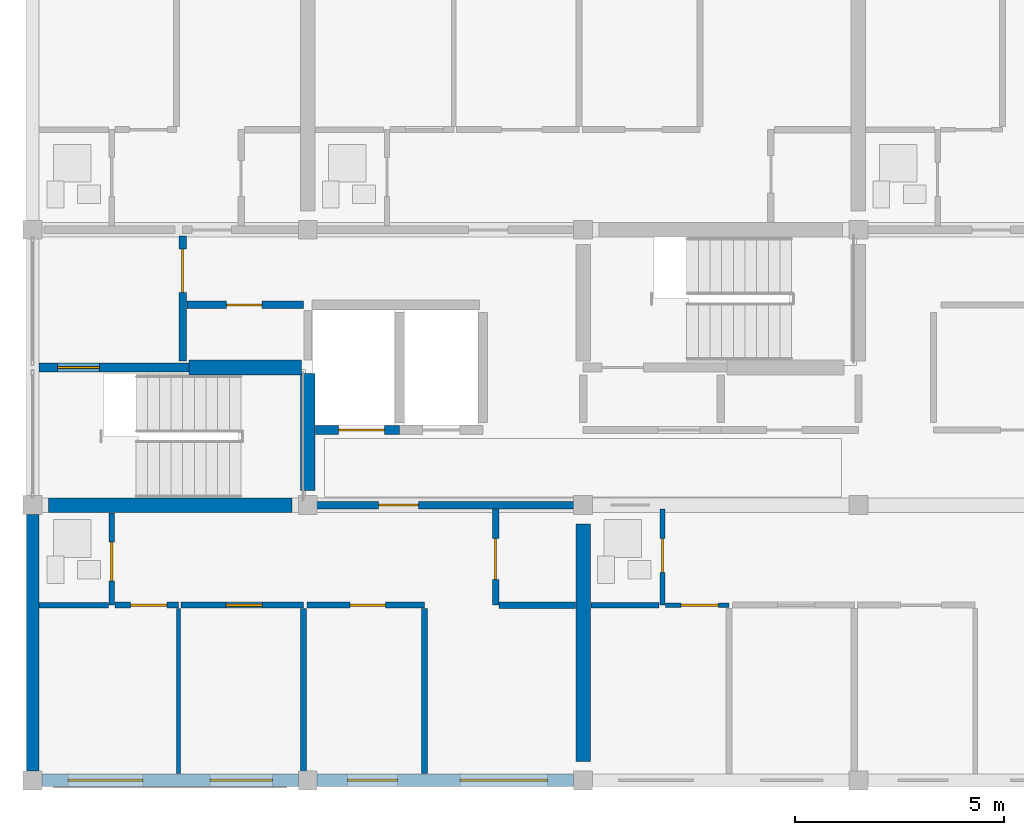
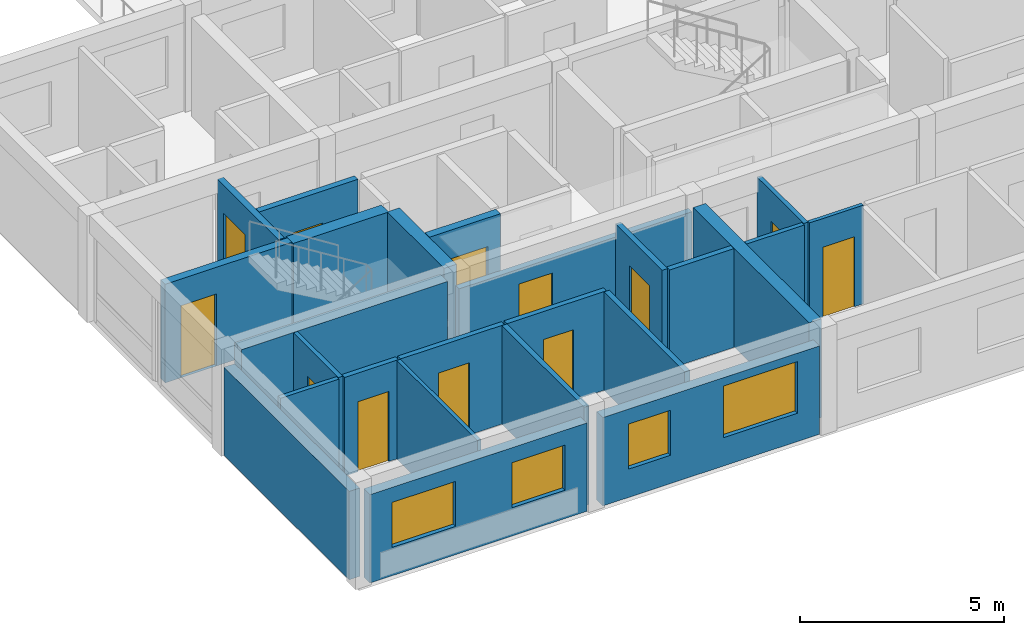
# One storey, part 26 of 51: 25 walls, 12 doors, 4 windows, 16 openings.
"""IFC4 building model written with IfcOpenShell, lengths in metres."""

from ifc_helpers import new_model, si_unit, direction, frame, frame_2d, origin, place, context, subcontext, project, spatial, rectangle, extrude, material, layer, layer_set, type_object, element, fill, save


model = new_model("IFC4")

# Units and contexts
model_context = context("Model", 3, precision=1e-05, world=origin(), true_north=direction((0.0, 1.0)))
body_context = subcontext(model_context, "Body", "Model", "MODEL_VIEW")
ifc_project = project(units=[si_unit("LENGTHUNIT", "METRE"), si_unit("AREAUNIT", "SQUARE_METRE"), si_unit("VOLUMEUNIT", "CUBIC_METRE"), si_unit("PLANEANGLEUNIT", "RADIAN"), si_unit("MASSUNIT", "GRAM", prefix="KILO")], contexts=[model_context])

# Site, building, storey
site_placement = place(None, origin())
site = spatial("IfcSite", under=ifc_project, at=site_placement, CompositionType="ELEMENT")
building_placement = place(site_placement, origin())
building = spatial("IfcBuilding", under=site, at=building_placement, Name="Kernevlak Ridge Housing Community", CompositionType="ELEMENT")
storey_placement = place(building_placement, frame((0.0, 0.0, 8.39990234375)))
storey = spatial("IfcBuildingStorey", under=building, at=storey_placement, Name="L02", CompositionType="ELEMENT", Elevation=8.39990234375)

# Wall, openings, windows
ifc_material_1 = material(Name="Concrete block masonry M10", Category="masonry")
ifc_layer_1 = layer(ifc_material_1, 0.300048828125, Name="Concrete block masonry M10")
ifc_layer_set_1 = layer_set([ifc_layer_1], Name="Concrete block masonry M10")
wall_type_1 = type_object("IfcWallType", Name="EW-01", PredefinedType="STANDARD", material=ifc_layer_set_1)
wall_1_placement = place(storey_placement, frame((15.824951171875, 15.60009765625, 0.0), z_axis=(0.0, 0.0, 1.0), x_axis=(1.0, 0.0, 0.0)))
wall_1 = element("IfcWall", 1, at=wall_1_placement, inside=storey, type_object=wall_type_1, Name="Exterior wall EW-01 L02 739", PredefinedType="STANDARD", context=body_context, shape_type="SweptSolid", body=[
    extrude(rectangle(XDim=6.150146484375, YDim=0.300048828125, at=frame_2d((3.0751953125, 0.0))), origin(), (0.0, 0.0, 1.0), 2.650146484375),
])
opening_1_placement = place(wall_1_placement, frame((0.625, 0.0, 0.85009765625)))
opening_1 = element("IfcOpeningElement", 2, at=opening_1_placement, cuts=wall_1, Name="Opening WT-03", PredefinedType="OPENING", context=body_context, shape_type="SweptSolid", body=[
    extrude(rectangle(XDim=1.800048828125, YDim=1.35009765625, at=frame_2d((0.89990234375, 0.675048828125))), frame((0.0, 0.159912109375, 0.0), z_axis=(0.0, -1.0, 0.0), x_axis=(1.0, 0.0, 0.0)), (0.0, 0.0, 1.0), 0.320068359375),
])
opening_2_placement = place(wall_1_placement, frame((4.02490234375, 0.0, 0.85009765625)))
opening_2 = element("IfcOpeningElement", 3, at=opening_2_placement, cuts=wall_1, Name="Opening WT-02", PredefinedType="OPENING", context=body_context, shape_type="SweptSolid", body=[
    extrude(rectangle(XDim=1.5, YDim=1.35009765625, at=frame_2d((0.75, 0.675048828125))), frame((0.0, 0.159912109375, 0.0), z_axis=(0.0, -1.0, 0.0), x_axis=(1.0, 0.0, 0.0)), (0.0, 0.0, 1.0), 0.320068359375),
])
ifc_material_2 = material(Name="Aluminium EN AW-6060 anodised and laminated glass", Category="aluminium")
window_type_1 = type_object("IfcWindowType", Name="WT-02", PartitioningType="SINGLE_PANEL", PredefinedType="WINDOW", material=ifc_material_2)
window_1_placement = place(opening_2_placement, origin())
window_1 = element("IfcWindow", 4, at=window_1_placement, inside=storey, type_object=window_type_1, Name="Window WT-02 L02 607", OverallHeight=1.35009765625, OverallWidth=1.5, PartitioningType="SINGLE_PANEL", PredefinedType="WINDOW", context=body_context, shape_type="SweptSolid", body=[
    extrude(rectangle(XDim=1.5, YDim=1.35009765625, at=frame_2d((0.75, 0.675048828125))), frame((0.0, 0.030029296875, 0.0), z_axis=(0.0, -1.0, 0.0), x_axis=(1.0, 0.0, 0.0)), (0.0, 0.0, 1.0), 0.06005859375),
])
fill(opening_2, window_1)
window_type_2 = type_object("IfcWindowType", Name="WT-03", PartitioningType="SINGLE_PANEL", PredefinedType="WINDOW", material=ifc_material_2)
window_2_placement = place(opening_1_placement, origin())
window_2 = element("IfcWindow", 5, at=window_2_placement, inside=storey, type_object=window_type_2, Name="Window WT-03 L02 606", OverallHeight=1.35009765625, OverallWidth=1.800048828125, PartitioningType="SINGLE_PANEL", PredefinedType="WINDOW", context=body_context, shape_type="SweptSolid", body=[
    extrude(rectangle(XDim=1.800048828125, YDim=1.35009765625, at=frame_2d((0.89990234375, 0.675048828125))), frame((0.0, 0.030029296875, 0.0), z_axis=(0.0, -1.0, 0.0), x_axis=(1.0, 0.0, 0.0)), (0.0, 0.0, 1.0), 0.06005859375),
])
fill(opening_1, window_2)

wall_2_placement = place(storey_placement, frame((22.425048828125, 15.60009765625, 0.0), z_axis=(0.0, 0.0, 1.0), x_axis=(1.0, 0.0, 0.0)))
wall_2 = element("IfcWall", 6, at=wall_2_placement, inside=storey, type_object=wall_type_1, Name="Exterior wall EW-01 L02 740", PredefinedType="STANDARD", context=body_context, shape_type="SweptSolid", body=[
    extrude(rectangle(XDim=6.14990234375, YDim=0.300048828125, at=frame_2d((3.074951171875, 0.0))), origin(), (0.0, 0.0, 1.0), 2.650146484375),
])
opening_3_placement = place(wall_2_placement, frame((0.72509765625, 0.0, 0.85009765625)))
opening_3 = element("IfcOpeningElement", 7, at=opening_3_placement, cuts=wall_2, Name="Opening WT-01", PredefinedType="OPENING", context=body_context, shape_type="SweptSolid", body=[
    extrude(rectangle(XDim=1.199951171875, YDim=1.35009765625, at=frame_2d((0.60009765625, 0.675048828125))), frame((0.0, 0.159912109375, 0.0), z_axis=(0.0, -1.0, 0.0), x_axis=(1.0, 0.0, 0.0)), (0.0, 0.0, 1.0), 0.320068359375),
])
opening_4_placement = place(wall_2_placement, frame((3.425048828125, 0.0, 0.85009765625)))
opening_4 = element("IfcOpeningElement", 8, at=opening_4_placement, cuts=wall_2, Name="Opening WT-05", PredefinedType="OPENING", context=body_context, shape_type="SweptSolid", body=[
    extrude(rectangle(XDim=2.10009765625, YDim=1.550048828125, at=frame_2d((1.050048828125, 0.77490234375))), frame((0.0, 0.159912109375, 0.0), z_axis=(0.0, -1.0, 0.0), x_axis=(1.0, 0.0, 0.0)), (0.0, 0.0, 1.0), 0.320068359375),
])
window_type_3 = type_object("IfcWindowType", Name="WT-01", PartitioningType="SINGLE_PANEL", PredefinedType="WINDOW", material=ifc_material_2)
window_3_placement = place(opening_3_placement, origin())
window_3 = element("IfcWindow", 9, at=window_3_placement, inside=storey, type_object=window_type_3, Name="Window WT-01 L02 608", OverallHeight=1.35009765625, OverallWidth=1.199951171875, PartitioningType="SINGLE_PANEL", PredefinedType="WINDOW", context=body_context, shape_type="SweptSolid", body=[
    extrude(rectangle(XDim=1.199951171875, YDim=1.35009765625, at=frame_2d((0.60009765625, 0.675048828125))), frame((0.0, 0.030029296875, 0.0), z_axis=(0.0, -1.0, 0.0), x_axis=(1.0, 0.0, 0.0)), (0.0, 0.0, 1.0), 0.06005859375),
])
fill(opening_3, window_3)
window_type_4 = type_object("IfcWindowType", Name="WT-05", PartitioningType="SINGLE_PANEL", PredefinedType="WINDOW", material=ifc_material_2)
window_4_placement = place(opening_4_placement, origin())
window_4 = element("IfcWindow", 10, at=window_4_placement, inside=storey, type_object=window_type_4, Name="Window WT-05 L02 609", OverallHeight=1.550048828125, OverallWidth=2.10009765625, PartitioningType="SINGLE_PANEL", PredefinedType="WINDOW", context=body_context, shape_type="SweptSolid", body=[
    extrude(rectangle(XDim=2.10009765625, YDim=1.550048828125, at=frame_2d((1.050048828125, 0.77490234375))), frame((0.0, 0.030029296875, 0.0), z_axis=(0.0, -1.0, 0.0), x_axis=(1.0, 0.0, 0.0)), (0.0, 0.0, 1.0), 0.06005859375),
])
fill(opening_4, window_4)

# Wall
wall_3_placement = place(storey_placement, frame((15.60009765625, 15.824951171875, 0.0), z_axis=(0.0, 0.0, 1.0), x_axis=(0.0, 1.0, 0.0)))
element("IfcWall", 11, at=wall_3_placement, inside=storey, type_object=wall_type_1, Name="Exterior wall EW-01 L02 749", PredefinedType="STANDARD", context=body_context, shape_type="SweptSolid", body=[
    extrude(rectangle(XDim=6.150146484375, YDim=0.300048828125, at=frame_2d((3.0751953125, 0.0))), origin(), (0.0, 0.0, 1.0), 2.650146484375),
])

# Wall, opening, door
ifc_material_3 = material(Name="Concrete C35/45", Category="concrete")
ifc_layer_2 = layer(ifc_material_3, 0.22509765625, Name="Concrete C35/45")
ifc_layer_set_2 = layer_set([ifc_layer_2], Name="Concrete C35/45")
wall_type_2 = type_object("IfcWallType", Name="PW-01", PredefinedType="STANDARD", material=ifc_layer_set_2)
wall_4_placement = place(storey_placement, frame((15.75, 25.5, 0.0), z_axis=(0.0, 0.0, 1.0), x_axis=(1.0, 0.0, 0.0)))
wall_4 = element("IfcWall", 12, at=wall_4_placement, inside=storey, type_object=wall_type_2, Name="Interior wall PW-01 WAL-INT-L02-3041", PredefinedType="STANDARD", context=body_context, shape_type="SweptSolid", body=[
    extrude(rectangle(XDim=3.60009765625, YDim=0.22509765625, at=frame_2d((1.800048828125, 0.0))), origin(), (0.0, 0.0, 1.0), 2.960205078125),
])
opening_5_placement = place(wall_4_placement, frame((0.449951171875, 0.0, 0.0)))
opening_5 = element("IfcOpeningElement", 13, at=opening_5_placement, cuts=wall_4, Name="Opening E542", PredefinedType="OPENING", context=body_context, shape_type="SweptSolid", body=[
    extrude(rectangle(XDim=1.0, YDim=2.159912109375, at=frame_2d((0.5, 1.080078125))), frame((0.0, 0.12255859375, 0.0), z_axis=(0.0, -1.0, 0.0), x_axis=(1.0, 0.0, 0.0)), (0.0, 0.0, 1.0), 0.2451171875),
])
ifc_material_4 = material(Name="Fire-rated sheet steel leaf", Category="steel")
door_type_1 = type_object("IfcDoorType", Name="DT-15", OperationType="NOTDEFINED", PredefinedType="DOOR", material=ifc_material_4)
door_1_placement = place(opening_5_placement, origin())
door_1 = element("IfcDoor", 14, at=door_1_placement, inside=storey, type_object=door_type_1, Name="Block D Stair 1 fire door E542", OperationType="SINGLE_SWING_LEFT", OverallHeight=2.159912109375, OverallWidth=1.0, PredefinedType="DOOR", context=body_context, shape_type="SweptSolid", body=[
    extrude(rectangle(XDim=1.0, YDim=2.159912109375, at=frame_2d((0.5, 1.080078125))), frame((0.0, 0.02490234375, 0.0), z_axis=(0.0, -1.0, 0.0), x_axis=(1.0, 0.0, 0.0)), (0.0, 0.0, 1.0), 0.050048828125),
])
fill(opening_5, door_1)

wall_5_placement = place(storey_placement, frame((22.385009765625, 24.0, 0.0), z_axis=(0.0, 0.0, 1.0), x_axis=(1.0, 0.0, 0.0)))
wall_5 = element("IfcWall", 15, at=wall_5_placement, inside=storey, type_object=wall_type_2, Name="Interior wall PW-01 WAL-INT-L02-3045", PredefinedType="STANDARD", context=body_context, shape_type="SweptSolid", body=[
    extrude(rectangle(XDim=2.014892578125, YDim=0.22509765625, at=frame_2d((1.00732421875, 0.0))), origin(), (0.0, 0.0, 1.0), 2.960205078125),
])
opening_6_placement = place(wall_5_placement, frame((0.550048828125, 0.0, 0.0)))
opening_6 = element("IfcOpeningElement", 16, at=opening_6_placement, cuts=wall_5, Name="Opening LD82", PredefinedType="OPENING", context=body_context, shape_type="SweptSolid", body=[
    extrude(rectangle(XDim=1.10009765625, YDim=2.10009765625, at=frame_2d((0.550048828125, 1.050048828125))), frame((0.0, 0.12255859375, 0.0), z_axis=(0.0, -1.0, 0.0), x_axis=(1.0, 0.0, 0.0)), (0.0, 0.0, 1.0), 0.2451171875),
])
ifc_material_5 = material(Name="Stainless steel EN 1.4401", Category="steel")
door_type_2 = type_object("IfcDoorType", Name="DT-LD1", OperationType="DOUBLE_DOOR_SLIDING", PredefinedType="DOOR", material=ifc_material_5)
door_2_placement = place(opening_6_placement, origin())
door_2 = element("IfcDoor", 17, at=door_2_placement, inside=storey, type_object=door_type_2, Name="Lift LF-D1 landing door LD82", OperationType="DOUBLE_DOOR_SLIDING", OverallHeight=2.10009765625, OverallWidth=1.10009765625, PredefinedType="DOOR", context=body_context, shape_type="SweptSolid", body=[
    extrude(rectangle(XDim=1.10009765625, YDim=2.10009765625, at=frame_2d((0.550048828125, 1.050048828125))), frame((0.0, 0.02490234375, 0.0), z_axis=(0.0, -1.0, 0.0), x_axis=(1.0, 0.0, 0.0)), (0.0, 0.0, 1.0), 0.050048828125),
])
fill(opening_6, door_2)

ifc_layer_3 = layer(ifc_material_1, 0.175048828125, Name="Concrete block masonry M10")
ifc_layer_set_3 = layer_set([ifc_layer_3], Name="Concrete block masonry M10")
wall_type_3 = type_object("IfcWallType", Name="PW-02", PredefinedType="PARTITIONING", material=ifc_layer_set_3)
wall_6_placement = place(storey_placement, frame((19.199951171875, 25.64990234375, 0.0), z_axis=(0.0, 0.0, 1.0), x_axis=(0.0, 1.0, 0.0)))
wall_6 = element("IfcWall", 18, at=wall_6_placement, inside=storey, type_object=wall_type_3, Name="Interior wall PW-02 WAL-INT-L02-3042", PredefinedType="PARTITIONING", context=body_context, shape_type="SweptSolid", body=[
    extrude(rectangle(XDim=3.0, YDim=0.175048828125, at=frame_2d((1.5, 0.0))), origin(), (0.0, 0.0, 1.0), 2.960205078125),
])
opening_7_placement = place(wall_6_placement, frame((1.64990234375, 0.0, 0.0)))
opening_7 = element("IfcOpeningElement", 19, at=opening_7_placement, cuts=wall_6, Name="Opening E543", PredefinedType="OPENING", context=body_context, shape_type="SweptSolid", body=[
    extrude(rectangle(XDim=1.0400390625, YDim=2.1201171875, at=frame_2d((0.52001953125, 1.06005859375))), frame((0.0, 0.097412109375, 0.0), z_axis=(0.0, -1.0, 0.0), x_axis=(1.0, 0.0, 0.0)), (0.0, 0.0, 1.0), 0.195068359375),
])
door_type_3 = type_object("IfcDoorType", Name="DT-16", OperationType="NOTDEFINED", PredefinedType="DOOR", material=ifc_material_4)
door_3_placement = place(opening_7_placement, origin())
door_3 = element("IfcDoor", 20, at=door_3_placement, inside=storey, type_object=door_type_3, Name="Block D Firefighting lobby 1 door E543", OperationType="SINGLE_SWING_RIGHT", OverallHeight=2.1201171875, OverallWidth=1.0400390625, PredefinedType="DOOR", context=body_context, shape_type="SweptSolid", body=[
    extrude(rectangle(XDim=1.0400390625, YDim=2.1201171875, at=frame_2d((0.52001953125, 1.06005859375))), frame((0.0, 0.02490234375, 0.0), z_axis=(0.0, -1.0, 0.0), x_axis=(1.0, 0.0, 0.0)), (0.0, 0.0, 1.0), 0.050048828125),
])
fill(opening_7, door_3)

wall_7_placement = place(storey_placement, frame((19.300048828125, 27.0, 0.0), z_axis=(0.0, 0.0, 1.0), x_axis=(1.0, 0.0, 0.0)))
wall_7 = element("IfcWall", 21, at=wall_7_placement, inside=storey, type_object=wall_type_3, Name="Interior wall PW-02 WAL-INT-L02-3043", PredefinedType="PARTITIONING", context=body_context, shape_type="SweptSolid", body=[
    extrude(rectangle(XDim=2.800048828125, YDim=0.175048828125, at=frame_2d((1.39990234375, 0.0))), origin(), (0.0, 0.0, 1.0), 2.960205078125),
])
opening_8_placement = place(wall_7_placement, frame((0.949951171875, 0.0, 0.0)))
opening_8 = element("IfcOpeningElement", 22, at=opening_8_placement, cuts=wall_7, Name="Opening E544", PredefinedType="OPENING", context=body_context, shape_type="SweptSolid", body=[
    extrude(rectangle(XDim=0.85009765625, YDim=2.0, at=frame_2d((0.425048828125, 1.0))), frame((0.0, 0.097412109375, 0.0), z_axis=(0.0, -1.0, 0.0), x_axis=(1.0, 0.0, 0.0)), (0.0, 0.0, 1.0), 0.195068359375),
])
door_type_4 = type_object("IfcDoorType", Name="DT-07", OperationType="NOTDEFINED", PredefinedType="DOOR", material=ifc_material_4)
door_4_placement = place(opening_8_placement, origin())
door_4 = element("IfcDoor", 23, at=door_4_placement, inside=storey, type_object=door_type_4, Name="Block D Riser shaft door E544", OperationType="SINGLE_SWING_LEFT", OverallHeight=2.0, OverallWidth=0.85009765625, PredefinedType="DOOR", context=body_context, shape_type="SweptSolid", body=[
    extrude(rectangle(XDim=0.85009765625, YDim=2.0, at=frame_2d((0.425048828125, 1.0))), frame((0.0, 0.02490234375, 0.0), z_axis=(0.0, -1.0, 0.0), x_axis=(1.0, 0.0, 0.0)), (0.0, 0.0, 1.0), 0.050048828125),
])
fill(opening_8, door_4)

wall_8_placement = place(storey_placement, frame((22.199951171875, 22.199951171875, 0.0), z_axis=(0.0, 0.0, 1.0), x_axis=(1.0, 0.0, 0.0)))
wall_8 = element("IfcWall", 24, at=wall_8_placement, inside=storey, type_object=wall_type_3, Name="Interior wall PW-02 WAL-INT-L02-3060", PredefinedType="PARTITIONING", context=body_context, shape_type="SweptSolid", body=[
    extrude(rectangle(XDim=6.60009765625, YDim=0.175048828125, at=frame_2d((3.300048828125, 0.0))), origin(), (0.0, 0.0, 1.0), 2.550048828125),
])
opening_9_placement = place(wall_8_placement, frame((1.699951171875, 0.0, 0.0)))
opening_9 = element("IfcOpeningElement", 25, at=opening_9_placement, cuts=wall_8, Name="Opening E549", PredefinedType="OPENING", context=body_context, shape_type="SweptSolid", body=[
    extrude(rectangle(XDim=0.949951171875, YDim=2.10009765625, at=frame_2d((0.47509765625, 1.050048828125))), frame((0.0, 0.097412109375, 0.0), z_axis=(0.0, -1.0, 0.0), x_axis=(1.0, 0.0, 0.0)), (0.0, 0.0, 1.0), 0.195068359375),
])
ifc_material_6 = material(Name="Hardwood timber solid-core fire leaf", Category="wood")
door_type_5 = type_object("IfcDoorType", Name="DT-01", OperationType="NOTDEFINED", PredefinedType="DOOR", material=ifc_material_6)
door_5_placement = place(opening_9_placement, origin())
door_5 = element("IfcDoor", 26, at=door_5_placement, inside=storey, type_object=door_type_5, Name="Flat D0211 entrance fire door E549", OperationType="SINGLE_SWING_RIGHT", OverallHeight=2.10009765625, OverallWidth=0.949951171875, PredefinedType="DOOR", context=body_context, shape_type="SweptSolid", body=[
    extrude(rectangle(XDim=0.949951171875, YDim=2.10009765625, at=frame_2d((0.47509765625, 1.050048828125))), frame((0.0, 0.02490234375, 0.0), z_axis=(0.0, -1.0, 0.0), x_axis=(1.0, 0.0, 0.0)), (0.0, 0.0, 1.0), 0.050048828125),
])
fill(opening_9, door_5)

ifc_layer_4 = layer(ifc_material_1, 0.14501953125, Name="Concrete block masonry M10")
ifc_layer_set_4 = layer_set([ifc_layer_4], Name="Concrete block masonry M10")
wall_type_4 = type_object("IfcWallType", Name="PW-03", PredefinedType="PARTITIONING", material=ifc_layer_set_4)
wall_9_placement = place(storey_placement, frame((17.572509765625, 19.800048828125, 0.0), z_axis=(0.0, 0.0, 1.0), x_axis=(1.0, 0.0, 0.0)))
wall_9 = element("IfcWall", 27, at=wall_9_placement, inside=storey, type_object=wall_type_4, Name="Interior wall PW-03 WAL-INT-L02-3065", PredefinedType="PARTITIONING", context=body_context, shape_type="SweptSolid", body=[
    extrude(rectangle(XDim=1.527587890625, YDim=0.14501953125, at=frame_2d((0.763671875, 0.0))), origin(), (0.0, 0.0, 1.0), 2.960205078125),
])
opening_10_placement = place(wall_9_placement, frame((0.375, 0.0, 0.0)))
opening_10 = element("IfcOpeningElement", 28, at=opening_10_placement, cuts=wall_9, Name="Opening E552", PredefinedType="OPENING", context=body_context, shape_type="SweptSolid", body=[
    extrude(rectangle(XDim=0.8798828125, YDim=2.10009765625, at=frame_2d((0.43994140625, 1.050048828125))), frame((0.0, 0.08251953125, 0.0), z_axis=(0.0, -1.0, 0.0), x_axis=(1.0, 0.0, 0.0)), (0.0, 0.0, 1.0), 0.1650390625),
])
ifc_material_7 = material(Name="Hardwood timber leaf", Category="wood")
door_type_6 = type_object("IfcDoorType", Name="DT-25", OperationType="NOTDEFINED", PredefinedType="DOOR", material=ifc_material_7)
door_6_placement = place(opening_10_placement, origin())
door_6 = element("IfcDoor", 29, at=door_6_placement, inside=storey, type_object=door_type_6, Name="Flat D0211 bedroom door E552", OperationType="SINGLE_SWING_LEFT", OverallHeight=2.10009765625, OverallWidth=0.8798828125, PredefinedType="DOOR", context=body_context, shape_type="SweptSolid", body=[
    extrude(rectangle(XDim=0.8798828125, YDim=2.10009765625, at=frame_2d((0.43994140625, 1.050048828125))), frame((0.0, 0.02490234375, 0.0), z_axis=(0.0, -1.0, 0.0), x_axis=(1.0, 0.0, 0.0)), (0.0, 0.0, 1.0), 0.050048828125),
])
fill(opening_10, door_6)

wall_10_placement = place(storey_placement, frame((19.16259765625, 19.800048828125, 0.0), z_axis=(0.0, 0.0, 1.0), x_axis=(1.0, 0.0, 0.0)))
wall_10 = element("IfcWall", 30, at=wall_10_placement, inside=storey, type_object=wall_type_4, Name="Interior wall PW-03 WAL-INT-L02-3067", PredefinedType="PARTITIONING", context=body_context, shape_type="SweptSolid", body=[
    extrude(rectangle(XDim=2.9375, YDim=0.14501953125, at=frame_2d((1.46875, 0.0))), origin(), (0.0, 0.0, 1.0), 2.960205078125),
])
opening_11_placement = place(wall_10_placement, frame((1.074951171875, 0.0, 0.0)))
opening_11 = element("IfcOpeningElement", 31, at=opening_11_placement, cuts=wall_10, Name="Opening E553", PredefinedType="OPENING", context=body_context, shape_type="SweptSolid", body=[
    extrude(rectangle(XDim=0.8798828125, YDim=2.159912109375, at=frame_2d((0.43994140625, 1.080078125))), frame((0.0, 0.08251953125, 0.0), z_axis=(0.0, -1.0, 0.0), x_axis=(1.0, 0.0, 0.0)), (0.0, 0.0, 1.0), 0.1650390625),
])
door_type_7 = type_object("IfcDoorType", Name="DT-26", OperationType="NOTDEFINED", PredefinedType="DOOR", material=ifc_material_7)
door_7_placement = place(opening_11_placement, origin())
door_7 = element("IfcDoor", 32, at=door_7_placement, inside=storey, type_object=door_type_7, Name="Flat D0211 bedroom door E553", OperationType="SINGLE_SWING_RIGHT", OverallHeight=2.159912109375, OverallWidth=0.8798828125, PredefinedType="DOOR", context=body_context, shape_type="SweptSolid", body=[
    extrude(rectangle(XDim=0.8798828125, YDim=2.159912109375, at=frame_2d((0.43994140625, 1.080078125))), frame((0.0, 0.02490234375, 0.0), z_axis=(0.0, -1.0, 0.0), x_axis=(1.0, 0.0, 0.0)), (0.0, 0.0, 1.0), 0.050048828125),
])
fill(opening_11, door_7)

# Wall
wall_11_placement = place(storey_placement, frame((22.10009765625, 19.717529296875, 0.0), z_axis=(0.0, 0.0, 1.0), x_axis=(0.0, -1.0, 0.0)))
element("IfcWall", 33, at=wall_11_placement, inside=storey, type_object=wall_type_4, Name="Interior wall PW-03 WAL-INT-L02-3068", PredefinedType="PARTITIONING", context=body_context, shape_type="SweptSolid", body=[
    extrude(rectangle(XDim=4.03759765625, YDim=0.14501953125, at=frame_2d((2.018798828125, 0.0))), origin(), (0.0, 0.0, 1.0), 2.960205078125),
])

# Wall, opening, door
wall_12_placement = place(storey_placement, frame((22.1826171875, 19.800048828125, 0.0), z_axis=(0.0, 0.0, 1.0), x_axis=(1.0, 0.0, 0.0)))
wall_12 = element("IfcWall", 34, at=wall_12_placement, inside=storey, type_object=wall_type_4, Name="Interior wall PW-03 WAL-INT-L02-3069", PredefinedType="PARTITIONING", context=body_context, shape_type="SweptSolid", body=[
    extrude(rectangle(XDim=2.8173828125, YDim=0.14501953125, at=frame_2d((1.40869140625, 0.0))), origin(), (0.0, 0.0, 1.0), 2.960205078125),
])
opening_12_placement = place(wall_12_placement, frame((1.02490234375, 0.0, 0.0)))
opening_12 = element("IfcOpeningElement", 35, at=opening_12_placement, cuts=wall_12, Name="Opening E554", PredefinedType="OPENING", context=body_context, shape_type="SweptSolid", body=[
    extrude(rectangle(XDim=0.860107421875, YDim=2.1201171875, at=frame_2d((0.43017578125, 1.06005859375))), frame((0.0, 0.08251953125, 0.0), z_axis=(0.0, -1.0, 0.0), x_axis=(1.0, 0.0, 0.0)), (0.0, 0.0, 1.0), 0.1650390625),
])
door_type_8 = type_object("IfcDoorType", Name="DT-28", OperationType="NOTDEFINED", PredefinedType="DOOR", material=ifc_material_7)
door_8_placement = place(opening_12_placement, origin())
door_8 = element("IfcDoor", 36, at=door_8_placement, inside=storey, type_object=door_type_8, Name="Flat D0211 bedroom door E554", OperationType="SINGLE_SWING_LEFT", OverallHeight=2.1201171875, OverallWidth=0.860107421875, PredefinedType="DOOR", context=body_context, shape_type="SweptSolid", body=[
    extrude(rectangle(XDim=0.860107421875, YDim=2.1201171875, at=frame_2d((0.43017578125, 1.06005859375))), frame((0.0, 0.02490234375, 0.0), z_axis=(0.0, -1.0, 0.0), x_axis=(1.0, 0.0, 0.0)), (0.0, 0.0, 1.0), 0.050048828125),
])
fill(opening_12, door_8)

# Wall
wall_13_placement = place(storey_placement, frame((25.0, 19.717529296875, 0.0), z_axis=(0.0, 0.0, 1.0), x_axis=(0.0, -1.0, 0.0)))
element("IfcWall", 37, at=wall_13_placement, inside=storey, type_object=wall_type_4, Name="Interior wall PW-03 WAL-INT-L02-3070", PredefinedType="PARTITIONING", context=body_context, shape_type="SweptSolid", body=[
    extrude(rectangle(XDim=3.95751953125, YDim=0.14501953125, at=frame_2d((1.978759765625, 0.0))), origin(), (0.0, 0.0, 1.0), 2.960205078125),
])

# Wall, opening, door
ifc_material_8 = material(Name="Gypsum plasterboard EN 520", Category="gypsum")
ifc_layer_5 = layer(ifc_material_8, 0.125, Name="Gypsum plasterboard EN 520")
ifc_layer_set_5 = layer_set([ifc_layer_5], Name="Gypsum plasterboard EN 520")
wall_type_5 = type_object("IfcWallType", Name="PW-04", PredefinedType="PARTITIONING", material=ifc_layer_set_5)
wall_14_placement = place(storey_placement, frame((17.5, 22.014892578125, 0.0), z_axis=(0.0, 0.0, 1.0), x_axis=(0.0, -1.0, 0.0)))
wall_14 = element("IfcWall", 38, at=wall_14_placement, inside=storey, type_object=wall_type_5, Name="Interior wall PW-04 WAL-INT-L02-3061", PredefinedType="PARTITIONING", context=body_context, shape_type="SweptSolid", body=[
    extrude(rectangle(XDim=2.21484375, YDim=0.125, at=frame_2d((1.107421875, 0.0))), origin(), (0.0, 0.0, 1.0), 2.960205078125),
])
opening_13_placement = place(wall_14_placement, frame((0.699951171875, 0.0, 0.0)))
opening_13 = element("IfcOpeningElement", 39, at=opening_13_placement, cuts=wall_14, Name="Opening E550", PredefinedType="OPENING", context=body_context, shape_type="SweptSolid", body=[
    extrude(rectangle(XDim=0.93994140625, YDim=2.080078125, at=frame_2d((0.469970703125, 1.0400390625))), frame((0.0, 0.072509765625, 0.0), z_axis=(0.0, -1.0, 0.0), x_axis=(1.0, 0.0, 0.0)), (0.0, 0.0, 1.0), 0.14501953125),
])
ifc_material_9 = material(Name="Hardwood timber moisture-resistant leaf", Category="wood")
door_type_9 = type_object("IfcDoorType", Name="DT-23", OperationType="NOTDEFINED", PredefinedType="DOOR", material=ifc_material_9)
door_9_placement = place(opening_13_placement, origin())
door_9 = element("IfcDoor", 40, at=door_9_placement, inside=storey, type_object=door_type_9, Name="Flat D0211 bathroom door E550", OperationType="SINGLE_SWING_LEFT", OverallHeight=2.080078125, OverallWidth=0.93994140625, PredefinedType="DOOR", context=body_context, shape_type="SweptSolid", body=[
    extrude(rectangle(XDim=0.93994140625, YDim=2.080078125, at=frame_2d((0.469970703125, 1.0400390625))), frame((0.0, 0.02490234375, 0.0), z_axis=(0.0, -1.0, 0.0), x_axis=(1.0, 0.0, 0.0)), (0.0, 0.0, 1.0), 0.050048828125),
])
fill(opening_13, door_9)

# Wall
wall_15_placement = place(storey_placement, frame((15.760009765625, 19.800048828125, 0.0), z_axis=(0.0, 0.0, 1.0), x_axis=(1.0, 0.0, 0.0)))
element("IfcWall", 41, at=wall_15_placement, inside=storey, type_object=wall_type_5, Name="Interior wall PW-04 WAL-INT-L02-3062", PredefinedType="PARTITIONING", context=body_context, shape_type="SweptSolid", body=[
    extrude(rectangle(XDim=1.659912109375, YDim=0.125, at=frame_2d((0.830078125, 0.0))), origin(), (0.0, 0.0, 1.0), 2.960205078125),
])

# Wall, opening, door
wall_16_placement = place(storey_placement, frame((30.699951171875, 22.1025390625, 0.0), z_axis=(0.0, 0.0, 1.0), x_axis=(0.0, -1.0, 0.0)))
wall_16 = element("IfcWall", 42, at=wall_16_placement, inside=storey, type_object=wall_type_5, Name="Interior wall PW-04 WAL-INT-L02-3072", PredefinedType="PARTITIONING", context=body_context, shape_type="SweptSolid", body=[
    extrude(rectangle(XDim=2.302490234375, YDim=0.125, at=frame_2d((1.1513671875, 0.0))), origin(), (0.0, 0.0, 1.0), 2.960205078125),
])
opening_14_placement = place(wall_16_placement, frame((0.699951171875, 0.0, 0.0)))
opening_14 = element("IfcOpeningElement", 43, at=opening_14_placement, cuts=wall_16, Name="Opening E556", PredefinedType="OPENING", context=body_context, shape_type="SweptSolid", body=[
    extrude(rectangle(XDim=0.820068359375, YDim=2.050048828125, at=frame_2d((0.41015625, 1.02490234375))), frame((0.0, 0.072509765625, 0.0), z_axis=(0.0, -1.0, 0.0), x_axis=(1.0, 0.0, 0.0)), (0.0, 0.0, 1.0), 0.14501953125),
])
door_type_10 = type_object("IfcDoorType", Name="DT-30", OperationType="NOTDEFINED", PredefinedType="DOOR", material=ifc_material_9)
door_10_placement = place(opening_14_placement, origin())
door_10 = element("IfcDoor", 44, at=door_10_placement, inside=storey, type_object=door_type_10, Name="Flat D0212 bathroom door E556", OperationType="SINGLE_SWING_LEFT", OverallHeight=2.050048828125, OverallWidth=0.820068359375, PredefinedType="DOOR", context=body_context, shape_type="SweptSolid", body=[
    extrude(rectangle(XDim=0.820068359375, YDim=2.050048828125, at=frame_2d((0.41015625, 1.02490234375))), frame((0.0, 0.02490234375, 0.0), z_axis=(0.0, -1.0, 0.0), x_axis=(1.0, 0.0, 0.0)), (0.0, 0.0, 1.0), 0.050048828125),
])
fill(opening_14, door_10)

# Wall
wall_17_placement = place(storey_placement, frame((28.985107421875, 19.800048828125, 0.0), z_axis=(0.0, 0.0, 1.0), x_axis=(1.0, 0.0, 0.0)))
element("IfcWall", 45, at=wall_17_placement, inside=storey, type_object=wall_type_5, Name="Interior wall PW-04 WAL-INT-L02-3073", PredefinedType="PARTITIONING", context=body_context, shape_type="SweptSolid", body=[
    extrude(rectangle(XDim=1.635009765625, YDim=0.125, at=frame_2d((0.8173828125, 0.0))), origin(), (0.0, 0.0, 1.0), 2.960205078125),
])

# Wall, opening, door
ifc_layer_6 = layer(ifc_material_8, 0.155029296875, Name="Gypsum plasterboard EN 520")
ifc_layer_set_6 = layer_set([ifc_layer_6], Name="Gypsum plasterboard EN 520")
wall_type_6 = type_object("IfcWallType", Name="PW-05", PredefinedType="PARTITIONING", material=ifc_layer_set_6)
wall_18_placement = place(storey_placement, frame((26.699951171875, 22.1025390625, 0.0), z_axis=(0.0, 0.0, 1.0), x_axis=(0.0, -1.0, 0.0)))
wall_18 = element("IfcWall", 46, at=wall_18_placement, inside=storey, type_object=wall_type_6, Name="Interior wall PW-05 WAL-INT-L02-3063", PredefinedType="PARTITIONING", context=body_context, shape_type="SweptSolid", body=[
    extrude(rectangle(XDim=2.302490234375, YDim=0.155029296875, at=frame_2d((1.1513671875, 0.0))), origin(), (0.0, 0.0, 1.0), 2.960205078125),
])
opening_15_placement = place(wall_18_placement, frame((0.699951171875, 0.0, 0.0)))
opening_15 = element("IfcOpeningElement", 47, at=opening_15_placement, cuts=wall_18, Name="Opening E551", PredefinedType="OPENING", context=body_context, shape_type="SweptSolid", body=[
    extrude(rectangle(XDim=0.97998046875, YDim=2.1201171875, at=frame_2d((0.489990234375, 1.06005859375))), frame((0.0, 0.08740234375, 0.0), z_axis=(0.0, -1.0, 0.0), x_axis=(1.0, 0.0, 0.0)), (0.0, 0.0, 1.0), 0.175048828125),
])
door_type_11 = type_object("IfcDoorType", Name="DT-24", OperationType="NOTDEFINED", PredefinedType="DOOR", material=ifc_material_7)
door_11_placement = place(opening_15_placement, origin())
door_11 = element("IfcDoor", 48, at=door_11_placement, inside=storey, type_object=door_type_11, Name="Flat D0211 kitchen door E551", OperationType="SINGLE_SWING_RIGHT", OverallHeight=2.1201171875, OverallWidth=0.97998046875, PredefinedType="DOOR", context=body_context, shape_type="SweptSolid", body=[
    extrude(rectangle(XDim=0.97998046875, YDim=2.1201171875, at=frame_2d((0.489990234375, 1.06005859375))), frame((0.0, 0.02490234375, 0.0), z_axis=(0.0, -1.0, 0.0), x_axis=(1.0, 0.0, 0.0)), (0.0, 0.0, 1.0), 0.050048828125),
])
fill(opening_15, door_11)

# Walls
wall_19_placement = place(storey_placement, frame((26.78759765625, 19.800048828125, 0.0), z_axis=(0.0, 0.0, 1.0), x_axis=(1.0, 0.0, 0.0)))
element("IfcWall", 49, at=wall_19_placement, inside=storey, type_object=wall_type_6, Name="Interior wall PW-05 WAL-INT-L02-3064", PredefinedType="PARTITIONING", context=body_context, shape_type="SweptSolid", body=[
    extrude(rectangle(XDim=1.827392578125, YDim=0.155029296875, at=frame_2d((0.91357421875, 0.0))), origin(), (0.0, 0.0, 1.0), 2.960205078125),
])
ifc_layer_7 = layer(ifc_material_8, 0.10498046875, Name="Gypsum plasterboard EN 520")
ifc_layer_set_7 = layer_set([ifc_layer_7], Name="Gypsum plasterboard EN 520")
wall_type_7 = type_object("IfcWallType", Name="PW-06", PredefinedType="PARTITIONING", material=ifc_layer_set_7)
wall_20_placement = place(storey_placement, frame((19.10009765625, 19.717529296875, 0.0), z_axis=(0.0, 0.0, 1.0), x_axis=(0.0, -1.0, 0.0)))
element("IfcWall", 50, at=wall_20_placement, inside=storey, type_object=wall_type_7, Name="Interior wall PW-06 WAL-INT-L02-3066", PredefinedType="PARTITIONING", context=body_context, shape_type="SweptSolid", body=[
    extrude(rectangle(XDim=3.95751953125, YDim=0.10498046875, at=frame_2d((1.978759765625, 0.0))), origin(), (0.0, 0.0, 1.0), 2.960205078125),
])

# Wall, opening, door
wall_21_placement = place(storey_placement, frame((30.7724609375, 19.800048828125, 0.0), z_axis=(0.0, 0.0, 1.0), x_axis=(1.0, 0.0, 0.0)))
wall_21 = element("IfcWall", 51, at=wall_21_placement, inside=storey, type_object=wall_type_7, Name="Interior wall PW-06 WAL-INT-L02-3076", PredefinedType="PARTITIONING", context=body_context, shape_type="SweptSolid", body=[
    extrude(rectangle(XDim=1.527587890625, YDim=0.10498046875, at=frame_2d((0.763671875, 0.0))), origin(), (0.0, 0.0, 1.0), 2.960205078125),
])
opening_16_placement = place(wall_21_placement, frame((0.375, 0.0, 0.0)))
opening_16 = element("IfcOpeningElement", 52, at=opening_16_placement, cuts=wall_21, Name="Opening E558", PredefinedType="OPENING", context=body_context, shape_type="SweptSolid", body=[
    extrude(rectangle(XDim=0.89990234375, YDim=2.10009765625, at=frame_2d((0.449951171875, 1.050048828125))), frame((0.0, 0.0625, 0.0), z_axis=(0.0, -1.0, 0.0), x_axis=(1.0, 0.0, 0.0)), (0.0, 0.0, 1.0), 0.125),
])
door_type_12 = type_object("IfcDoorType", Name="DT-21", OperationType="NOTDEFINED", PredefinedType="DOOR", material=ifc_material_7)
door_12_placement = place(opening_16_placement, origin())
door_12 = element("IfcDoor", 53, at=door_12_placement, inside=storey, type_object=door_type_12, Name="Flat D0212 bedroom door E558", OperationType="SINGLE_SWING_LEFT", OverallHeight=2.10009765625, OverallWidth=0.89990234375, PredefinedType="DOOR", context=body_context, shape_type="SweptSolid", body=[
    extrude(rectangle(XDim=0.89990234375, YDim=2.10009765625, at=frame_2d((0.449951171875, 1.050048828125))), frame((0.0, 0.02490234375, 0.0), z_axis=(0.0, -1.0, 0.0), x_axis=(1.0, 0.0, 0.0)), (0.0, 0.0, 1.0), 0.050048828125),
])
fill(opening_16, door_12)

# Walls
ifc_material_10 = material(Name="Concrete C40/50", Category="concrete")
ifc_layer_8 = layer(ifc_material_10, 0.35009765625, Name="Concrete C40/50")
ifc_layer_set_8 = layer_set([ifc_layer_8], Name="Concrete C40/50")
wall_type_8 = type_object("IfcWallType", Name="SW-01", PredefinedType="SHEAR", material=ifc_layer_set_8)
wall_22_placement = place(storey_placement, frame((15.97998046875, 22.199951171875, 0.0), z_axis=(0.0, 0.0, 1.0), x_axis=(1.0, 0.0, 0.0)))
element("IfcWall", 54, at=wall_22_placement, inside=storey, type_object=wall_type_8, Name="Shear wall SW-01 Block D L02 527", PredefinedType="SHEAR", context=body_context, shape_type="SweptSolid", body=[
    extrude(rectangle(XDim=5.840087890625, YDim=0.35009765625, at=frame_2d((2.919921875, 0.0))), origin(), (0.0, 0.0, 1.0), 2.960205078125),
])
wall_23_placement = place(storey_placement, frame((19.35009765625, 25.5, 0.0), z_axis=(0.0, 0.0, 1.0), x_axis=(1.0, 0.0, 0.0)))
element("IfcWall", 55, at=wall_23_placement, inside=storey, type_object=wall_type_8, Name="Shear wall SW-01 Block D L02 528", PredefinedType="SHEAR", context=body_context, shape_type="SweptSolid", body=[
    extrude(rectangle(XDim=2.699951171875, YDim=0.35009765625, at=frame_2d((1.35009765625, 0.0))), origin(), (0.0, 0.0, 1.0), 2.960205078125),
])
wall_24_placement = place(storey_placement, frame((22.199951171875, 22.550048828125, 0.0), z_axis=(0.0, 0.0, 1.0), x_axis=(0.0, 1.0, 0.0)))
element("IfcWall", 56, at=wall_24_placement, inside=storey, type_object=wall_type_8, Name="Shear wall SW-01 Block D L02 529", PredefinedType="SHEAR", context=body_context, shape_type="SweptSolid", body=[
    extrude(rectangle(XDim=2.800048828125, YDim=0.35009765625, at=frame_2d((1.39990234375, 0.0))), origin(), (0.0, 0.0, 1.0), 2.960205078125),
])
wall_25_placement = place(storey_placement, frame((28.800048828125, 16.050048828125, 0.0), z_axis=(0.0, 0.0, 1.0), x_axis=(0.0, 1.0, 0.0)))
element("IfcWall", 57, at=wall_25_placement, inside=storey, type_object=wall_type_8, Name="Shear wall SW-01 Block D L02 534", PredefinedType="SHEAR", context=body_context, shape_type="SweptSolid", body=[
    extrude(rectangle(XDim=5.699951171875, YDim=0.35009765625, at=frame_2d((2.85009765625, 0.0))), origin(), (0.0, 0.0, 1.0), 2.960205078125),
])

save(model, "model.ifc")
